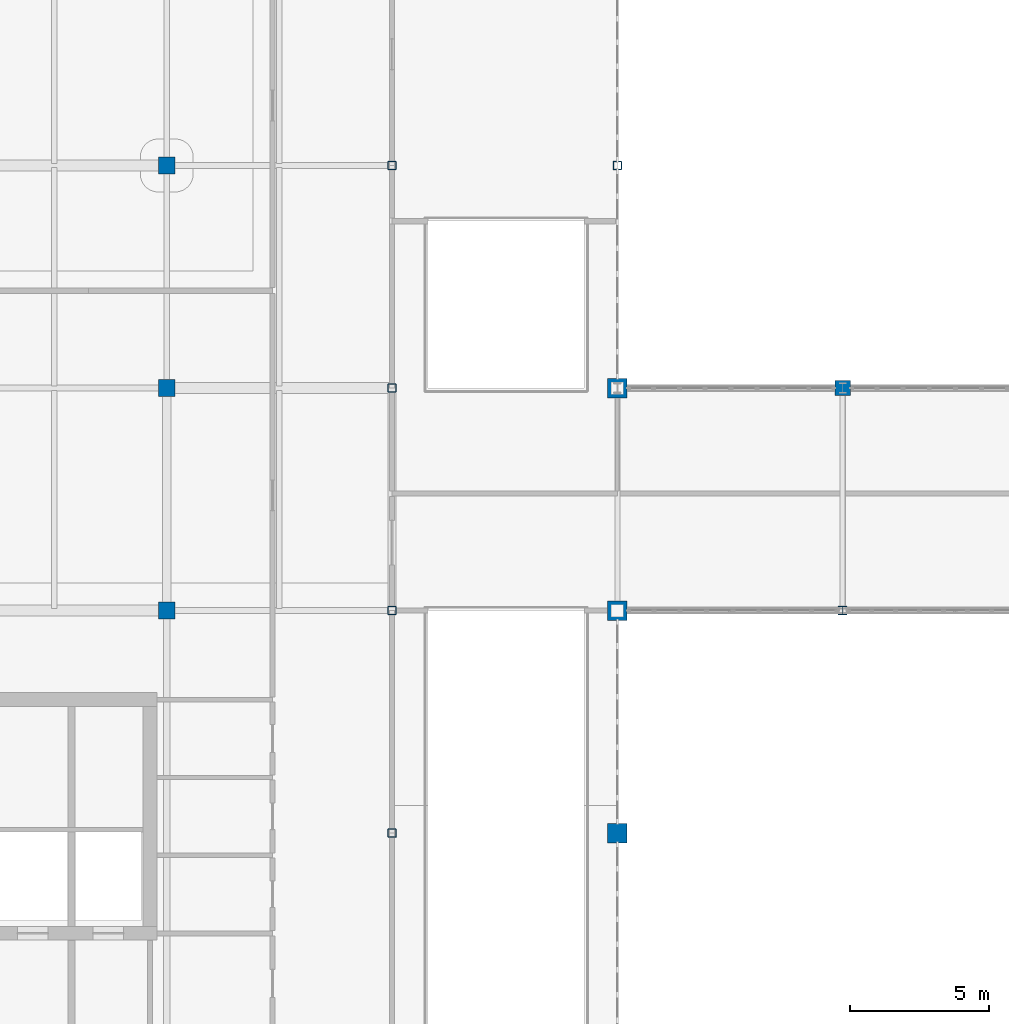
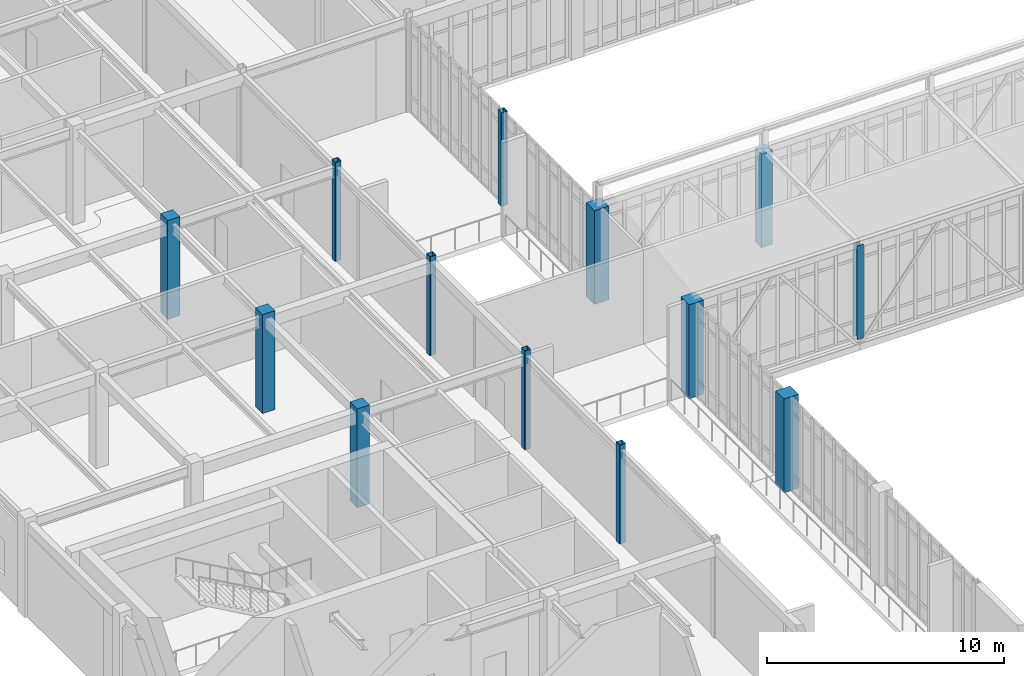
# One storey, part 7 of 107: 13 columns.
"""IFC4 building model written with IfcOpenShell, lengths in metres."""

from ifc_helpers import new_model, si_unit, direction, frame, origin, origin_2d, place, context, subcontext, project, spatial, rectangle, hollow_rectangle, i_section, extrude, material, material_profile, profile_set, type_object, element, save


model = new_model("IFC4")

# Units and contexts
model_context = context("Model", 3, precision=1e-05, world=origin(), true_north=direction((0.0, 1.0)))
body_context = subcontext(model_context, "Body", "Model", "MODEL_VIEW")
ifc_project = project(units=[si_unit("LENGTHUNIT", "METRE"), si_unit("AREAUNIT", "SQUARE_METRE"), si_unit("VOLUMEUNIT", "CUBIC_METRE"), si_unit("PLANEANGLEUNIT", "RADIAN"), si_unit("MASSUNIT", "GRAM", prefix="KILO")], contexts=[model_context])

# Site, building, storey
site_placement = place(None, origin())
site = spatial("IfcSite", under=ifc_project, at=site_placement, CompositionType="ELEMENT")
building_placement = place(site_placement, origin())
building = spatial("IfcBuilding", under=site, at=building_placement, Name="Tarnveldt Square Police Headquarters", CompositionType="ELEMENT")
storey_placement = place(building_placement, frame((0.0, 0.0, 14.699951171875)))
storey = spatial("IfcBuildingStorey", under=building, at=storey_placement, Name="L03", CompositionType="ELEMENT", Elevation=14.699951171875)

# Columns
ifc_material_1 = material(Name="Steel 350W", Category="steel")
ifc_material_profile_1 = material_profile(ifc_material_1, hollow_rectangle(XDim=0.3046875, YDim=0.3046875, WallThickness=0.015869140625, InnerFilletRadius=0.015869140625, OuterFilletRadius=0.03173828125, at=origin_2d()), Name="HSS305x305x16")
ifc_profile_set_1 = profile_set([ifc_material_profile_1], Name="Steel 350W")
column_type_1 = type_object("IfcColumnType", Name="COL-HSS305x16", PredefinedType="COLUMN", material=ifc_profile_set_1)
for number, where, z_axis, x_axis, name in (
    (1, (40.5, 64.0, 0.0), (0.0, 0.0, 1.0), (1.0, 0.0, 0.0), "L03 Column 063"),
    (2, (40.5, 72.0, 0.0), (0.0, 0.0, 1.0), (1.0, 0.0, 0.0), "L03 Column 064"),
    (3, (40.5, 80.0, 0.0), (0.0, 0.0, 1.0), (1.0, 0.0, 0.0), "L03 Column 065"),
    (4, (40.5, 88.0, 0.0), (0.0, 0.0, 1.0), (1.0, 0.0, 0.0), "L03 Column 066"),
):
    element("IfcColumn", number, at=place(storey_placement, frame(where, z_axis=z_axis, x_axis=x_axis)), inside=storey, type_object=column_type_1, Name=name, PredefinedType="COLUMN", context=body_context, shape_type="SweptSolid", body=[
        extrude(hollow_rectangle(XDim=0.3046875, YDim=0.3046875, WallThickness=0.015869140625, InnerFilletRadius=0.015869140625, OuterFilletRadius=0.03173828125, at=origin_2d()), origin(), (0.0, 0.0, 1.0), 5.10009765625),
    ])
column_1_placement = place(storey_placement, frame((48.60009765625, 88.0, 0.0), z_axis=(0.0, 0.0, 1.0), x_axis=(1.0, 0.0, 0.0)))
element("IfcColumn", 5, at=column_1_placement, inside=storey, type_object=column_type_1, Name="L03 Column 078", PredefinedType="COLUMN", context=body_context, shape_type="SweptSolid", body=[
    extrude(hollow_rectangle(XDim=0.3046875, YDim=0.3046875, WallThickness=0.015869140625, InnerFilletRadius=0.015869140625, OuterFilletRadius=0.03173828125, at=origin_2d()), origin(), (0.0, 0.0, 1.0), 4.840087890625),
])
ifc_material_2 = material(Name="Concrete 40 MPa", Category="concrete")
ifc_material_profile_2 = material_profile(ifc_material_2, rectangle(XDim=0.550048828125, YDim=0.550048828125, at=origin_2d()), Name="RC-C550x550")
ifc_profile_set_2 = profile_set([ifc_material_profile_2], Name="Concrete 40 MPa")
column_type_2 = type_object("IfcColumnType", Name="COL-RC550", PredefinedType="COLUMN", material=ifc_profile_set_2)
column_2_placement = place(storey_placement, frame((56.699951171875, 80.0, 0.0), z_axis=(0.0, 0.0, 1.0), x_axis=(1.0, 0.0, 0.0)))
element("IfcColumn", 6, at=column_2_placement, inside=storey, type_object=column_type_2, Name="L03 Column 090", PredefinedType="COLUMN", context=body_context, shape_type="SweptSolid", body=[
    extrude(rectangle(XDim=0.550048828125, YDim=0.550048828125, at=origin_2d()), origin(), (0.0, 0.0, 1.0), 4.840087890625),
])
ifc_material_profile_3 = material_profile(ifc_material_2, rectangle(XDim=0.60009765625, YDim=0.60009765625, at=origin_2d()), Name="RC-C600x600")
ifc_profile_set_3 = profile_set([ifc_material_profile_3], Name="Concrete 40 MPa")
column_type_3 = type_object("IfcColumnType", Name="COL-RC600", PredefinedType="COLUMN", material=ifc_profile_set_3)
for number, where, z_axis, x_axis, name in (
    (7, (32.39990234375, 72.0, 0.0), (0.0, 0.0, 1.0), (1.0, 0.0, 0.0), "L03 Column 050"),
    (8, (32.39990234375, 80.0, 0.0), (0.0, 0.0, 1.0), (1.0, 0.0, 0.0), "L03 Column 051"),
    (9, (32.39990234375, 88.0, 0.0), (0.0, 0.0, 1.0), (1.0, 0.0, 0.0), "L03 Column 052"),
):
    element("IfcColumn", number, at=place(storey_placement, frame(where, z_axis=z_axis, x_axis=x_axis)), inside=storey, type_object=column_type_3, Name=name, PredefinedType="COLUMN", context=body_context, shape_type="SweptSolid", body=[
        extrude(rectangle(XDim=0.60009765625, YDim=0.60009765625, at=origin_2d()), origin(), (0.0, 0.0, 1.0), 5.10009765625),
    ])
ifc_material_3 = material(Name="Concrete 50 MPa", Category="concrete")
ifc_material_profile_4 = material_profile(ifc_material_3, rectangle(XDim=0.699951171875, YDim=0.699951171875, at=origin_2d()), Name="RC-C700x700")
ifc_profile_set_4 = profile_set([ifc_material_profile_4], Name="Concrete 50 MPa")
column_type_4 = type_object("IfcColumnType", Name="COL-RC700", PredefinedType="COLUMN", material=ifc_profile_set_4)
for number, where, z_axis, x_axis, name in (
    (10, (48.60009765625, 64.0, 0.0), (0.0, 0.0, 1.0), (1.0, 0.0, 0.0), "L03 Column 075"),
    (11, (48.60009765625, 72.0, 0.0), (0.0, 0.0, 1.0), (1.0, 0.0, 0.0), "L03 Column 076"),
    (12, (48.60009765625, 80.0, 0.0), (0.0, 0.0, 1.0), (1.0, 0.0, 0.0), "L03 Column 077"),
):
    element("IfcColumn", number, at=place(storey_placement, frame(where, z_axis=z_axis, x_axis=x_axis)), inside=storey, type_object=column_type_4, Name=name, PredefinedType="COLUMN", context=body_context, shape_type="SweptSolid", body=[
        extrude(rectangle(XDim=0.699951171875, YDim=0.699951171875, at=origin_2d()), origin(), (0.0, 0.0, 1.0), 4.840087890625),
    ])
ifc_material_profile_5 = material_profile(ifc_material_1, i_section(OverallWidth=0.304931640625, OverallDepth=0.30810546875, WebThickness=0.010009765625, FlangeThickness=0.015380859375, FilletRadius=0.014892578125, at=origin_2d()), Name="W310x97")
ifc_profile_set_5 = profile_set([ifc_material_profile_5], Name="Steel 350W")
column_type_5 = type_object("IfcColumnType", Name="COL-W310x97", PredefinedType="COLUMN", material=ifc_profile_set_5)
column_3_placement = place(storey_placement, frame((56.699951171875, 72.0, 0.0), z_axis=(0.0, 0.0, 1.0), x_axis=(1.0, 0.0, 0.0)))
element("IfcColumn", 13, at=column_3_placement, inside=storey, type_object=column_type_5, Name="L03 Column 089", PredefinedType="COLUMN", context=body_context, shape_type="SweptSolid", body=[
    extrude(i_section(OverallWidth=0.304931640625, OverallDepth=0.30810546875, WebThickness=0.010009765625, FlangeThickness=0.015380859375, FilletRadius=0.014892578125, at=origin_2d()), origin(), (0.0, 0.0, 1.0), 4.840087890625),
])

save(model, "model.ifc")
